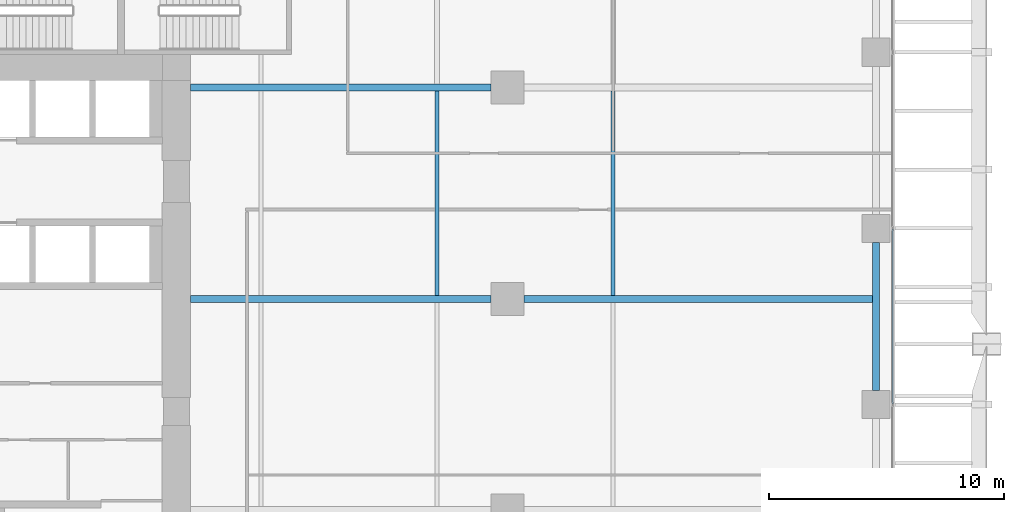
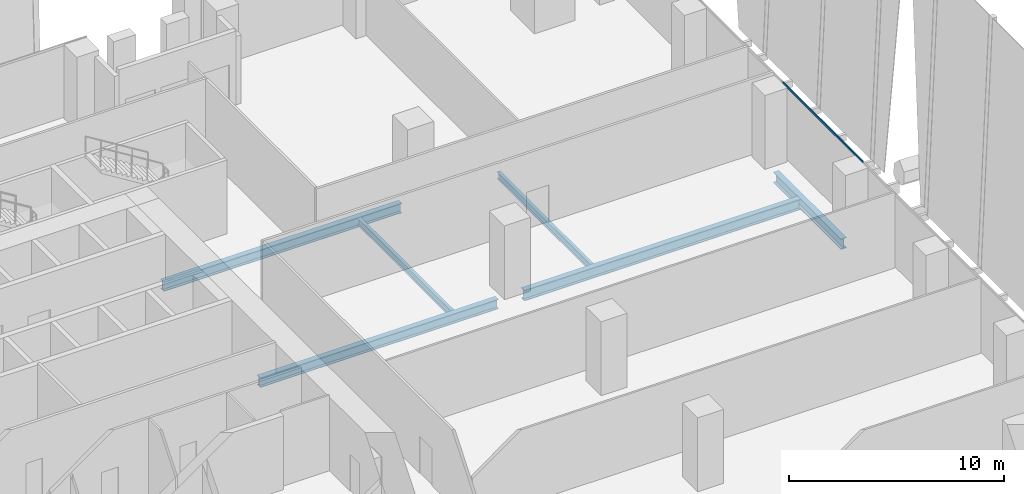
# One storey, part 16 of 35: 6 beams, 1 member, 1 element without a shape of its own.
"""IFC4 building model written with IfcOpenShell, lengths in metres."""

from ifc_helpers import new_model, si_unit, direction, frame, origin, origin_2d, place, context, subcontext, project, spatial, hollow_rectangle, i_section, extrude, source, transform, mapped, material, material_profile, profile_set, type_object, element, aggregate, save


model = new_model("IFC4")

# Units and contexts
model_context = context("Model", 3, precision=1e-05, world=origin(), true_north=direction((0.0, 1.0)))
body_context = subcontext(model_context, "Body", "Model", "MODEL_VIEW")
ifc_project = project(units=[si_unit("LENGTHUNIT", "METRE"), si_unit("AREAUNIT", "SQUARE_METRE"), si_unit("VOLUMEUNIT", "CUBIC_METRE"), si_unit("PLANEANGLEUNIT", "RADIAN"), si_unit("MASSUNIT", "GRAM", prefix="KILO")], contexts=[model_context])

# Site, building, storey
site_placement = place(None, origin())
site = spatial("IfcSite", under=ifc_project, at=site_placement, CompositionType="ELEMENT")
building_placement = place(site_placement, origin())
building = spatial("IfcBuilding", under=site, at=building_placement, Name="Khomas Fold Tower", CompositionType="ELEMENT")
storey_placement = place(building_placement, frame((0.0, 0.0, 87.0)))
storey = spatial("IfcBuildingStorey", under=building, at=storey_placement, Name="L18", CompositionType="ELEMENT", Elevation=87.0)

# Beams
ifc_material_1 = material(Name="Steel S355", Category="steel")
ifc_material_profile_1 = material_profile(ifc_material_1, i_section(OverallWidth=0.300048828125, OverallDepth=0.550048828125, WebThickness=0.014892578125, FlangeThickness=0.029052734375, at=origin_2d()), Name="HE 550 B")
ifc_profile_set_1 = profile_set([ifc_material_profile_1], Name="Steel S355")
beam_type_1 = type_object("IfcBeamType", Name="HE 550 B beam GB4", PredefinedType="BEAM", material=ifc_profile_set_1)
shared_shape_1 = source(origin(), body_context, "Body", "SweptSolid", [
    extrude(i_section(OverallWidth=0.300048828125, OverallDepth=0.550048828125, WebThickness=0.014892578125, FlangeThickness=0.029052734375, at=origin_2d()), origin(), (0.0, 0.0, 1.0), 12.800048828125),
])
for number, where, z_axis, x_axis, name in (
    (1, (24.0, 31.5, -0.574951171875), (1.0, 0.0, 0.0), (0.0, 1.0, 0.0), "GB4"),
    (2, (24.0, 40.5, -0.574951171875), (1.0, 0.0, 0.0), (0.0, 1.0, 0.0), "GB4"),
):
    element("IfcBeam", number, at=place(storey_placement, frame(where, z_axis=z_axis, x_axis=x_axis)), inside=storey, type_object=beam_type_1, Name=name, PredefinedType="BEAM", context=body_context, shape_type="MappedRepresentation", body=[
        mapped(shared_shape_1, transform((0.0, 0.0, 0.0))),
    ])
ifc_material_2 = material(Name="Steel S355", Category="steel")
ifc_material_profile_2 = material_profile(ifc_material_2, i_section(OverallWidth=0.179931640625, OverallDepth=0.39990234375, WebThickness=0.008544921875, FlangeThickness=0.013427734375, at=origin_2d()), Name="IPE 400")
ifc_profile_set_2 = profile_set([ifc_material_profile_2], Name="Steel S355")
beam_type_2 = type_object("IfcBeamType", Name="IPE 400 beam JB3", PredefinedType="BEAM", material=ifc_profile_set_2)
shared_shape_2 = source(origin(), body_context, "Body", "SweptSolid", [
    extrude(i_section(OverallWidth=0.179931640625, OverallDepth=0.39990234375, WebThickness=0.008544921875, FlangeThickness=0.013427734375, at=origin_2d()), origin(), (0.0, 0.0, 1.0), 8.7001953125),
])
for number, where, z_axis, x_axis, name in (
    (3, (34.5, 31.64990234375, -0.5), (0.0, 1.0, 0.0), (-1.0, 0.0, 0.0), "JB3"),
    (4, (42.0, 31.64990234375, -0.5), (0.0, 1.0, 0.0), (-1.0, 0.0, 0.0), "JB3"),
):
    element("IfcBeam", number, at=place(storey_placement, frame(where, z_axis=z_axis, x_axis=x_axis)), inside=storey, type_object=beam_type_2, Name=name, PredefinedType="BEAM", context=body_context, shape_type="MappedRepresentation", body=[
        mapped(shared_shape_2, transform((0.0, 0.0, 0.0))),
    ])
ifc_material_3 = material(Name="Steel S355", Category="steel")
ifc_material_profile_3 = material_profile(ifc_material_3, i_section(OverallWidth=0.300048828125, OverallDepth=0.60009765625, WebThickness=0.015380859375, FlangeThickness=0.030029296875, at=origin_2d()), Name="HE 600 B")
ifc_profile_set_3 = profile_set([ifc_material_profile_3], Name="Steel S355")
beam_type_3 = type_object("IfcBeamType", Name="HE 600 B spandrel SB1", PredefinedType="SPANDREL", material=ifc_profile_set_3)
shared_shape_3 = source(origin(), body_context, "Body", "SweptSolid", [
    extrude(i_section(OverallWidth=0.300048828125, OverallDepth=0.60009765625, WebThickness=0.015380859375, FlangeThickness=0.030029296875, at=origin_2d()), origin(), (0.0, 0.0, 1.0), 6.2998046875),
])
beam_1_placement = place(storey_placement, frame((53.199951171875, 27.60009765625, -0.60009765625), z_axis=(0.0, 1.0, 0.0), x_axis=(-1.0, 0.0, 0.0)))
element("IfcBeam", 5, at=beam_1_placement, inside=storey, type_object=beam_type_3, Name="SB1", PredefinedType="SPANDREL", context=body_context, shape_type="MappedRepresentation", body=[
    mapped(shared_shape_3, transform((0.0, 0.0, 0.0))),
])
ifc_material_4 = material(Name="Steel S355", Category="steel")
ifc_material_profile_4 = material_profile(ifc_material_4, i_section(OverallWidth=0.300048828125, OverallDepth=0.60009765625, WebThickness=0.015380859375, FlangeThickness=0.030029296875, at=origin_2d()), Name="HE 600 B")
ifc_profile_set_4 = profile_set([ifc_material_profile_4], Name="Steel S355")
beam_type_4 = type_object("IfcBeamType", Name="HE 600 B beam GB5", PredefinedType="BEAM", material=ifc_profile_set_4)
shared_shape_4 = source(origin(), body_context, "Body", "SweptSolid", [
    extrude(i_section(OverallWidth=0.300048828125, OverallDepth=0.60009765625, WebThickness=0.015380859375, FlangeThickness=0.030029296875, at=origin_2d()), origin(), (0.0, 0.0, 1.0), 14.85009765625),
])
beam_2_placement = place(storey_placement, frame((38.199951171875, 31.5, -0.60009765625), z_axis=(1.0, 0.0, 0.0), x_axis=(0.0, 1.0, 0.0)))
element("IfcBeam", 6, at=beam_2_placement, inside=storey, type_object=beam_type_4, Name="GB5", PredefinedType="BEAM", context=body_context, shape_type="MappedRepresentation", body=[
    mapped(shared_shape_4, transform((0.0, 0.0, 0.0))),
])

# Curtain wall, member
ifc_material_5 = material(Name="Aluminium framed double glazing", Category="aluminium")
curtain_wall_type = type_object("IfcCurtainWallType", Name="SK-Unitised clear-glass wall, growing floors CW1", PredefinedType="NOTDEFINED", material=ifc_material_5)
curtain_wall_placement = place(storey_placement, origin())
curtain_wall = element("IfcCurtainWall", 7, at=curtain_wall_placement, inside=storey, type_object=curtain_wall_type, Name="CW1 run L18 03-0", PredefinedType="NOTDEFINED")
ifc_material_6 = material(Name="Aluminium", Category="aluminium")
ifc_material_profile_5 = material_profile(ifc_material_6, hollow_rectangle(XDim=0.06005859375, YDim=0.1201171875, WallThickness=0.00390625, at=origin_2d()), Name="SK-Unitised clear-glass wall, growing floors transom CW1-T")
ifc_profile_set_5 = profile_set([ifc_material_profile_5], Name="Aluminium")
member_type = type_object("IfcMemberType", Name="SK-Unitised clear-glass wall, growing floors transom CW1-T", PredefinedType="USERDEFINED", material=ifc_profile_set_5)
shared_shape_5 = source(origin(), body_context, "Body", "SweptSolid", [
    extrude(hollow_rectangle(XDim=0.06005859375, YDim=0.1201171875, WallThickness=0.00390625, at=origin_2d()), origin(), (0.0, 0.0, 1.0), 7.43994140625),
])
member_placement = place(storey_placement, frame((53.89990234375, 27.030029296875, 4.139892578125), z_axis=(0.0, 1.0, 0.0), x_axis=(-1.0, 0.0, 0.0)))
member = element("IfcMember", 8, at=member_placement, type_object=member_type, Name="CW1 transom 5", ObjectType="TRANSOM", PredefinedType="USERDEFINED", context=body_context, shape_type="MappedRepresentation", body=[
    mapped(shared_shape_5, transform((0.0, 0.0, 0.0))),
])
aggregate(curtain_wall, [member])

save(model, "model.ifc")
